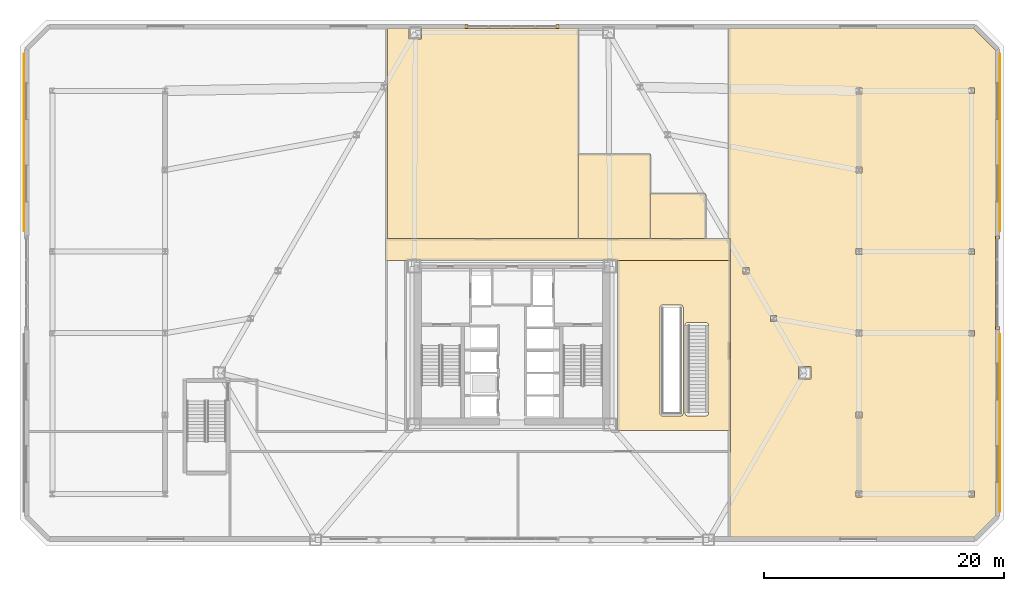
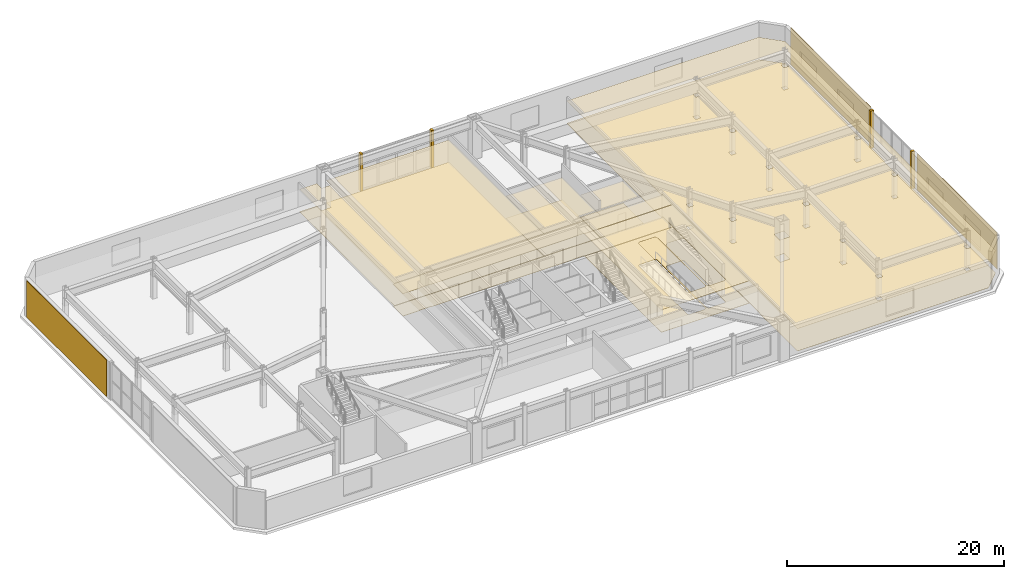
# One storey, part 20 of 21: 19 coverings.
"""IFC4 building model written with IfcOpenShell, lengths in metres."""

from ifc_helpers import new_model, si_unit, direction, frame, origin, origin_2d, place, context, subcontext, project, spatial, polyline, rectangle, outline, extrude, material, layer, layer_set, type_object, element, save


model = new_model("IFC4")

# Units and contexts
model_context = context("Model", 3, precision=1e-05, world=origin(), true_north=direction((0.0, 1.0)))
body_context = subcontext(model_context, "Body", "Model", "MODEL_VIEW")
ifc_project = project(units=[si_unit("LENGTHUNIT", "METRE"), si_unit("AREAUNIT", "SQUARE_METRE"), si_unit("VOLUMEUNIT", "CUBIC_METRE"), si_unit("PLANEANGLEUNIT", "RADIAN"), si_unit("MASSUNIT", "GRAM", prefix="KILO")], contexts=[model_context])

# Site, building, storey
site_placement = place(None, origin())
site = spatial("IfcSite", under=ifc_project, at=site_placement, CompositionType="ELEMENT")
building_placement = place(site_placement, origin())
building = spatial("IfcBuilding", under=site, at=building_placement, Name="Oramaril Tower", CompositionType="ELEMENT")
storey_placement = place(building_placement, frame((0.0, 0.0, 5.39990234375)))
storey = spatial("IfcBuildingStorey", under=building, at=storey_placement, Name="L01", CompositionType="ELEMENT", Elevation=5.39990234375)

# Coverings
ifc_material_1 = material(Name="Mineral Fibre Acoustic Ceiling")
ifc_layer_1 = layer(ifc_material_1, 0.02001953125)
ifc_layer_set_1 = layer_set([ifc_layer_1], Name="CVT-CEIL")
covering_type_1 = type_object("IfcCoveringType", Name="CVT-CEIL", PredefinedType="CEILING", material=ifc_layer_set_1)
covering_1_placement = place(storey_placement, frame((0.0, 0.0, 2.522216796875)))
element("IfcCovering", 1, at=covering_1_placement, inside=storey, type_object=covering_type_1, Name="L01 Acoustic Suspended Ceiling 2", PredefinedType="CEILING", context=body_context, shape_type="SweptSolid", body=[
    extrude(outline(polyline([(55.679931640625, 26.47998046875), (55.679931640625, 24.669921875), (46.219970703125, 24.669921875), (46.219970703125, 24.719970703125), (45.080078125, 24.719970703125), (45.080078125, 24.669921875), (29.919921875, 24.669921875), (29.919921875, 24.719970703125), (28.780029296875, 24.719970703125), (28.780029296875, 24.669921875), (26.969970703125, 24.669921875), (26.969970703125, 26.47998046875), (55.679931640625, 26.47998046875)])), origin(), (0.0, 0.0, 1.0), 0.019775390625),
])
covering_2_placement = place(storey_placement, frame((0.0, 0.0, 2.522216796875)))
element("IfcCovering", 2, at=covering_2_placement, inside=storey, type_object=covering_type_1, Name="L01 Acoustic Suspended Ceiling 4", PredefinedType="CEILING", context=body_context, shape_type="SweptSolid", body=[
    extrude(outline(polyline([(55.679931640625, 10.5), (46.300048828125, 10.5), (46.300048828125, 24.64990234375), (55.679931640625, 24.64990234375), (55.679931640625, 10.5)]), holes=[polyline([(49.835693359375, 20.772216796875), (49.829833984375, 20.748291015625), (49.826171875, 20.72412109375), (49.824951171875, 20.699462890625), (49.824951171875, 11.949951171875), (49.826171875, 11.925537109375), (49.829833984375, 11.901123046875), (49.835693359375, 11.87744140625), (49.843994140625, 11.854248046875), (49.8544921875, 11.832275390625), (49.8671875, 11.81103515625), (49.881591796875, 11.79150390625), (49.898193359375, 11.773193359375), (49.91650390625, 11.756591796875), (49.93603515625, 11.7421875), (49.957275390625, 11.7294921875), (49.979248046875, 11.718994140625), (50.00244140625, 11.710693359375), (50.026123046875, 11.704833984375), (50.050537109375, 11.701171875), (50.074951171875, 11.699951171875), (51.52490234375, 11.699951171875), (51.549560546875, 11.701171875), (51.57373046875, 11.704833984375), (51.59765625, 11.710693359375), (51.62060546875, 11.718994140625), (51.642822265625, 11.7294921875), (51.663818359375, 11.7421875), (51.68359375, 11.756591796875), (51.701904296875, 11.773193359375), (51.71826171875, 11.79150390625), (51.73291015625, 11.81103515625), (51.74560546875, 11.832275390625), (51.756103515625, 11.854248046875), (51.76416015625, 11.87744140625), (51.770263671875, 11.901123046875), (51.773681640625, 11.925537109375), (51.77490234375, 11.949951171875), (51.77490234375, 20.699462890625), (51.773681640625, 20.72412109375), (51.770263671875, 20.748291015625), (51.76416015625, 20.772216796875), (51.756103515625, 20.795166015625), (51.74560546875, 20.8173828125), (51.73291015625, 20.83837890625), (51.71826171875, 20.858154296875), (51.701904296875, 20.876220703125), (51.68359375, 20.892822265625), (51.663818359375, 20.907470703125), (51.642822265625, 20.919921875), (51.62060546875, 20.930419921875), (51.59765625, 20.938720703125), (51.57373046875, 20.944580078125), (51.549560546875, 20.9482421875), (51.52490234375, 20.949462890625), (50.074951171875, 20.949462890625), (50.050537109375, 20.9482421875), (50.026123046875, 20.944580078125), (50.00244140625, 20.938720703125), (49.979248046875, 20.930419921875), (49.957275390625, 20.919921875), (49.93603515625, 20.907470703125), (49.91650390625, 20.892822265625), (49.898193359375, 20.876220703125), (49.881591796875, 20.858154296875), (49.8671875, 20.83837890625), (49.8544921875, 20.8173828125), (49.843994140625, 20.795166015625), (49.835693359375, 20.772216796875)]), polyline([(51.9296875, 19.29833984375), (51.92626953125, 19.27392578125), (51.925048828125, 19.24951171875), (51.925048828125, 11.949951171875), (51.92626953125, 11.925537109375), (51.9296875, 11.901123046875), (51.935791015625, 11.87744140625), (51.944091796875, 11.854248046875), (51.95458984375, 11.832275390625), (51.967041015625, 11.81103515625), (51.981689453125, 11.79150390625), (51.998291015625, 11.773193359375), (52.016357421875, 11.756591796875), (52.0361328125, 11.7421875), (52.05712890625, 11.7294921875), (52.079345703125, 11.718994140625), (52.102294921875, 11.710693359375), (52.126220703125, 11.704833984375), (52.150390625, 11.701171875), (52.175048828125, 11.699951171875), (53.625, 11.699951171875), (53.6494140625, 11.701171875), (53.673828125, 11.704833984375), (53.697509765625, 11.710693359375), (53.720703125, 11.718994140625), (53.742919921875, 11.7294921875), (53.763916015625, 11.7421875), (53.78369140625, 11.756591796875), (53.8017578125, 11.773193359375), (53.818359375, 11.79150390625), (53.8330078125, 11.81103515625), (53.845458984375, 11.832275390625), (53.85595703125, 11.854248046875), (53.8642578125, 11.87744140625), (53.8701171875, 11.901123046875), (53.873779296875, 11.925537109375), (53.875, 11.949951171875), (53.875, 19.24951171875), (53.873779296875, 19.27392578125), (53.8701171875, 19.29833984375), (53.8642578125, 19.322021484375), (53.85595703125, 19.34521484375), (53.845458984375, 19.3671875), (53.8330078125, 19.388427734375), (53.818359375, 19.408203125), (53.8017578125, 19.42626953125), (53.78369140625, 19.44287109375), (53.763916015625, 19.45751953125), (53.742919921875, 19.469970703125), (53.720703125, 19.48046875), (53.697509765625, 19.48876953125), (53.673828125, 19.49462890625), (53.6494140625, 19.498291015625), (53.625, 19.49951171875), (52.175048828125, 19.49951171875), (52.150390625, 19.498291015625), (52.126220703125, 19.49462890625), (52.102294921875, 19.48876953125), (52.079345703125, 19.48046875), (52.05712890625, 19.469970703125), (52.0361328125, 19.45751953125), (52.016357421875, 19.44287109375), (51.998291015625, 19.42626953125), (51.981689453125, 19.408203125), (51.967041015625, 19.388427734375), (51.95458984375, 19.3671875), (51.944091796875, 19.34521484375), (51.935791015625, 19.322021484375), (51.9296875, 19.29833984375)])]), origin(), (0.0, 0.0, 1.0), 0.019775390625),
])
covering_3_placement = place(storey_placement, frame((0.0, 0.0, 2.522216796875)))
element("IfcCovering", 3, at=covering_3_placement, inside=storey, type_object=covering_type_1, Name="L01 Acoustic Suspended Ceiling 8", PredefinedType="CEILING", context=body_context, shape_type="SweptSolid", body=[
    extrude(outline(polyline([(28.931884765625, 43.98193359375), (28.931884765625, 43.1201171875), (29.9716796875, 43.1201171875), (29.9716796875, 43.98193359375), (43.0419921875, 43.98193359375), (43.0419921875, 26.5), (27.112060546875, 26.5), (27.112060546875, 43.98193359375), (28.931884765625, 43.98193359375)])), origin(), (0.0, 0.0, 1.0), 0.019775390625),
])
covering_4_placement = place(storey_placement, frame((0.0, 0.0, 2.522216796875)))
element("IfcCovering", 4, at=covering_4_placement, inside=storey, type_object=covering_type_1, Name="L01 Acoustic Suspended Ceiling 9", PredefinedType="CEILING", context=body_context, shape_type="SweptSolid", body=[
    extrude(outline(polyline([(77.781982421875, 42.20263671875), (77.781982421875, 3.3974609375), (76.002685546875, 1.617919921875), (55.662109375, 1.617919921875), (55.662109375, 8.64990234375), (55.679931640625, 8.64990234375), (55.681884765625, 8.650146484375), (55.683837890625, 8.650390625), (55.685791015625, 8.65087890625), (55.687744140625, 8.651611328125), (55.689453125, 8.65234375), (55.691162109375, 8.6533203125), (55.692626953125, 8.654541015625), (55.694091796875, 8.656005859375), (55.695556640625, 8.6572265625), (55.696533203125, 8.658935546875), (55.697509765625, 8.66064453125), (55.698486328125, 8.662353515625), (55.69921875, 8.664306640625), (55.69970703125, 8.666015625), (55.699951171875, 8.66796875), (55.699951171875, 8.669921875), (55.699951171875, 10.47998046875), (55.699951171875, 10.48193359375), (55.69970703125, 10.48388671875), (55.69921875, 10.48583984375), (55.698486328125, 10.48779296875), (55.697509765625, 10.489501953125), (55.697265625, 10.489990234375), (55.697509765625, 10.490478515625), (55.698486328125, 10.4921875), (55.69921875, 10.494140625), (55.69970703125, 10.49609375), (55.699951171875, 10.498046875), (55.699951171875, 10.5), (55.699951171875, 24.64990234375), (55.699951171875, 24.652099609375), (55.69970703125, 24.65380859375), (55.69921875, 24.65576171875), (55.698486328125, 24.65771484375), (55.697509765625, 24.659423828125), (55.697265625, 24.659912109375), (55.697509765625, 24.66064453125), (55.698486328125, 24.662353515625), (55.69921875, 24.664306640625), (55.69970703125, 24.666015625), (55.699951171875, 24.66796875), (55.699951171875, 24.669921875), (55.699951171875, 26.47998046875), (55.699951171875, 26.48193359375), (55.69970703125, 26.48388671875), (55.69921875, 26.48583984375), (55.698486328125, 26.48779296875), (55.697509765625, 26.489501953125), (55.696533203125, 26.4912109375), (55.695556640625, 26.49267578125), (55.694091796875, 26.494140625), (55.692626953125, 26.49560546875), (55.691162109375, 26.49658203125), (55.689453125, 26.49755859375), (55.687744140625, 26.49853515625), (55.685791015625, 26.4990234375), (55.683837890625, 26.49951171875), (55.681884765625, 26.5), (55.679931640625, 26.5), (55.55810546875, 26.5), (55.55810546875, 43.98193359375), (76.002685546875, 43.98193359375), (77.781982421875, 42.20263671875)]), holes=[polyline([(66.652587890625, 4.947509765625), (66.652587890625, 5.452392578125), (66.1474609375, 5.452392578125), (66.1474609375, 4.947509765625), (66.652587890625, 4.947509765625)]), polyline([(76.037109375, 5.43701171875), (75.56298828125, 5.43701171875), (75.56298828125, 4.962890625), (76.037109375, 4.962890625), (76.037109375, 5.43701171875)]), polyline([(66.652587890625, 11.547607421875), (66.652587890625, 12.052490234375), (66.1474609375, 12.052490234375), (66.1474609375, 11.547607421875), (66.652587890625, 11.547607421875)]), polyline([(62.430419921875, 14.780029296875), (62.430419921875, 15.820068359375), (61.390380859375, 15.820068359375), (61.390380859375, 14.780029296875), (62.430419921875, 14.780029296875)]), polyline([(66.652587890625, 18.347412109375), (66.652587890625, 18.8525390625), (66.1474609375, 18.8525390625), (66.1474609375, 18.347412109375), (66.652587890625, 18.347412109375)]), polyline([(76.037109375, 18.363037109375), (76.037109375, 18.8369140625), (75.56298828125, 18.8369140625), (75.56298828125, 18.363037109375), (76.037109375, 18.363037109375)]), polyline([(59.544921875, 20.0869140625), (59.039794921875, 20.0869140625), (59.039794921875, 19.581787109375), (59.544921875, 19.581787109375), (59.544921875, 20.0869140625)]), polyline([(57.254150390625, 23.549560546875), (57.254150390625, 24.054443359375), (56.749267578125, 24.054443359375), (56.749267578125, 23.549560546875), (57.254150390625, 23.549560546875)]), polyline([(66.652587890625, 25.1474609375), (66.652587890625, 25.652587890625), (66.1474609375, 25.652587890625), (66.1474609375, 25.1474609375), (66.652587890625, 25.1474609375)]), polyline([(76.037109375, 25.1630859375), (76.037109375, 25.636962890625), (75.56298828125, 25.636962890625), (75.56298828125, 25.1630859375), (76.037109375, 25.1630859375)]), polyline([(66.652587890625, 31.947509765625), (66.652587890625, 32.452392578125), (66.1474609375, 32.452392578125), (66.1474609375, 31.947509765625), (66.652587890625, 31.947509765625)]), polyline([(66.652587890625, 38.547607421875), (66.652587890625, 39.052490234375), (66.1474609375, 39.052490234375), (66.1474609375, 38.547607421875), (66.652587890625, 38.547607421875)]), polyline([(76.037109375, 38.56298828125), (76.037109375, 39.037109375), (75.56298828125, 39.037109375), (75.56298828125, 38.56298828125), (76.037109375, 38.56298828125)])]), origin(), (0.0, 0.0, 1.0), 0.019775390625),
])
covering_5_placement = place(storey_placement, frame((0.0, 0.0, 2.522216796875)))
element("IfcCovering", 5, at=covering_5_placement, inside=storey, type_object=covering_type_1, Name="L01 Acoustic Suspended Ceiling 10", PredefinedType="CEILING", context=body_context, shape_type="SweptSolid", body=[
    extrude(outline(polyline([(49.0419921875, 26.5), (43.06201171875, 26.5), (43.06201171875, 33.5419921875), (49.0419921875, 33.5419921875), (49.0419921875, 26.5)])), origin(), (0.0, 0.0, 1.0), 0.019775390625),
])
covering_6_placement = place(storey_placement, frame((0.0, 0.0, 2.522216796875)))
element("IfcCovering", 6, at=covering_6_placement, inside=storey, type_object=covering_type_1, Name="L01 Acoustic Suspended Ceiling 11", PredefinedType="CEILING", context=body_context, shape_type="SweptSolid", body=[
    extrude(outline(polyline([(53.64208984375, 30.241943359375), (53.64208984375, 26.5), (49.06201171875, 26.5), (49.06201171875, 30.241943359375), (53.64208984375, 30.241943359375)])), origin(), (0.0, 0.0, 1.0), 0.019775390625),
])
ifc_material_2 = material(Name="Warm Cream Limestone", Category="masonry")
ifc_layer_2 = layer(ifc_material_2, 0.050048828125)
ifc_layer_set_2 = layer_set([ifc_layer_2], Name="CVT-CLD")
covering_type_2 = type_object("IfcCoveringType", Name="CVT-CLD", PredefinedType="CLADDING", material=ifc_layer_set_2)
for number, where, z_axis, x_axis, name in (
    (7, (77.949951171875, 19.02001953125, 0.0), (0.0, 0.0, 1.0), (0.0, 1.0, 0.0), "L01 Curtain Wall Limestone Jamb Closure"),
    (8, (77.949951171875, 26.580078125, 0.0), (0.0, 0.0, 1.0), (0.0, 1.0, 0.0), "L01 Curtain Wall Limestone Jamb Closure"),
):
    element("IfcCovering", number, at=place(storey_placement, frame(where, z_axis=z_axis, x_axis=x_axis)), inside=storey, type_object=covering_type_2, Name=name, PredefinedType="CLADDING", context=body_context, shape_type="SweptSolid", body=[
        extrude(rectangle(XDim=0.260009765625, YDim=0.340087890625, at=origin_2d()), origin(), (0.0, 0.0, 1.0), 4.219970703125),
    ])
for number, where, z_axis, x_axis, name in (
    (9, (78.1630859375, 11.114013671875, 0.050048828125), (0.0, 0.0, 1.0), (0.0, 1.0, 0.0), "L01 Warm Cream Limestone Cladding"),
    (10, (78.1630859375, 34.486083984375, 0.050048828125), (0.0, 0.0, 1.0), (0.0, 1.0, 0.0), "L01 Warm Cream Limestone Cladding"),
):
    element("IfcCovering", number, at=place(storey_placement, frame(where, z_axis=z_axis, x_axis=x_axis)), inside=storey, type_object=covering_type_2, Name=name, PredefinedType="CLADDING", context=body_context, shape_type="SweptSolid", body=[
        extrude(rectangle(XDim=14.772216796875, YDim=0.050048828125, at=origin_2d()), origin(), (0.0, 0.0, 1.0), 4.1201171875),
    ])
for number, where, z_axis, x_axis, name in (
    (11, (41.280029296875, 44.14990234375, 0.0), (0.0, 0.0, 1.0), (-1.0, 0.0, 0.0), "L01 Curtain Wall Limestone Jamb Closure"),
    (12, (33.719970703125, 44.14990234375, 0.0), (0.0, 0.0, 1.0), (-1.0, 0.0, 0.0), "L01 Curtain Wall Limestone Jamb Closure"),
):
    element("IfcCovering", number, at=place(storey_placement, frame(where, z_axis=z_axis, x_axis=x_axis)), inside=storey, type_object=covering_type_2, Name=name, PredefinedType="CLADDING", context=body_context, shape_type="SweptSolid", body=[
        extrude(rectangle(XDim=0.260009765625, YDim=0.340087890625, at=origin_2d()), origin(), (0.0, 0.0, 1.0), 4.219970703125),
    ])
covering_7_placement = place(storey_placement, frame((-3.1630859375, 34.486083984375, 0.050048828125), z_axis=(0.0, 0.0, 1.0), x_axis=(0.0, -1.0, 0.0)))
element("IfcCovering", 13, at=covering_7_placement, inside=storey, type_object=covering_type_2, Name="L01 Warm Cream Limestone Cladding", PredefinedType="CLADDING", context=body_context, shape_type="SweptSolid", body=[
    extrude(rectangle(XDim=14.772216796875, YDim=0.050048828125, at=origin_2d()), origin(), (0.0, 0.0, 1.0), 4.1201171875),
])
ifc_material_3 = material(Name="Honed Quartzite Stone Flooring", Category="masonry")
ifc_layer_3 = layer(ifc_material_3, 0.02490234375)
ifc_layer_set_3 = layer_set([ifc_layer_3], Name="CVT-FLR")
covering_type_3 = type_object("IfcCoveringType", Name="CVT-FLR", PredefinedType="FLOORING", material=ifc_layer_set_3)
covering_8_placement = place(storey_placement, origin())
element("IfcCovering", 14, at=covering_8_placement, inside=storey, type_object=covering_type_3, Name="L01 Honed Stone Floor Finish 2", PredefinedType="FLOORING", context=body_context, shape_type="SweptSolid", body=[
    extrude(outline(polyline([(55.679931640625, 26.47998046875), (55.679931640625, 24.669921875), (46.219970703125, 24.669921875), (46.219970703125, 24.719970703125), (45.080078125, 24.719970703125), (45.080078125, 24.669921875), (29.919921875, 24.669921875), (29.919921875, 24.719970703125), (28.780029296875, 24.719970703125), (28.780029296875, 24.669921875), (26.969970703125, 24.669921875), (26.969970703125, 26.47998046875), (55.679931640625, 26.47998046875)])), origin(), (0.0, 0.0, 1.0), 0.025146484375),
])
covering_9_placement = place(storey_placement, origin())
element("IfcCovering", 15, at=covering_9_placement, inside=storey, type_object=covering_type_3, Name="L01 Honed Stone Floor Finish 4", PredefinedType="FLOORING", context=body_context, shape_type="SweptSolid", body=[
    extrude(outline(polyline([(55.679931640625, 10.5), (46.300048828125, 10.5), (46.300048828125, 24.64990234375), (55.679931640625, 24.64990234375), (55.679931640625, 10.5)]), holes=[polyline([(49.835693359375, 20.772216796875), (49.829833984375, 20.748291015625), (49.826171875, 20.72412109375), (49.824951171875, 20.699462890625), (49.824951171875, 11.949951171875), (49.826171875, 11.925537109375), (49.829833984375, 11.901123046875), (49.835693359375, 11.87744140625), (49.843994140625, 11.854248046875), (49.8544921875, 11.832275390625), (49.8671875, 11.81103515625), (49.881591796875, 11.79150390625), (49.898193359375, 11.773193359375), (49.91650390625, 11.756591796875), (49.93603515625, 11.7421875), (49.957275390625, 11.7294921875), (49.979248046875, 11.718994140625), (50.00244140625, 11.710693359375), (50.026123046875, 11.704833984375), (50.050537109375, 11.701171875), (50.074951171875, 11.699951171875), (51.52490234375, 11.699951171875), (51.549560546875, 11.701171875), (51.57373046875, 11.704833984375), (51.59765625, 11.710693359375), (51.62060546875, 11.718994140625), (51.642822265625, 11.7294921875), (51.663818359375, 11.7421875), (51.68359375, 11.756591796875), (51.701904296875, 11.773193359375), (51.71826171875, 11.79150390625), (51.73291015625, 11.81103515625), (51.74560546875, 11.832275390625), (51.756103515625, 11.854248046875), (51.76416015625, 11.87744140625), (51.770263671875, 11.901123046875), (51.773681640625, 11.925537109375), (51.77490234375, 11.949951171875), (51.77490234375, 20.699462890625), (51.773681640625, 20.72412109375), (51.770263671875, 20.748291015625), (51.76416015625, 20.772216796875), (51.756103515625, 20.795166015625), (51.74560546875, 20.8173828125), (51.73291015625, 20.83837890625), (51.71826171875, 20.858154296875), (51.701904296875, 20.876220703125), (51.68359375, 20.892822265625), (51.663818359375, 20.907470703125), (51.642822265625, 20.919921875), (51.62060546875, 20.930419921875), (51.59765625, 20.938720703125), (51.57373046875, 20.944580078125), (51.549560546875, 20.9482421875), (51.52490234375, 20.949462890625), (50.074951171875, 20.949462890625), (50.050537109375, 20.9482421875), (50.026123046875, 20.944580078125), (50.00244140625, 20.938720703125), (49.979248046875, 20.930419921875), (49.957275390625, 20.919921875), (49.93603515625, 20.907470703125), (49.91650390625, 20.892822265625), (49.898193359375, 20.876220703125), (49.881591796875, 20.858154296875), (49.8671875, 20.83837890625), (49.8544921875, 20.8173828125), (49.843994140625, 20.795166015625), (49.835693359375, 20.772216796875)]), polyline([(51.9296875, 19.29833984375), (51.92626953125, 19.27392578125), (51.925048828125, 19.24951171875), (51.925048828125, 11.949951171875), (51.92626953125, 11.925537109375), (51.9296875, 11.901123046875), (51.935791015625, 11.87744140625), (51.944091796875, 11.854248046875), (51.95458984375, 11.832275390625), (51.967041015625, 11.81103515625), (51.981689453125, 11.79150390625), (51.998291015625, 11.773193359375), (52.016357421875, 11.756591796875), (52.0361328125, 11.7421875), (52.05712890625, 11.7294921875), (52.079345703125, 11.718994140625), (52.102294921875, 11.710693359375), (52.126220703125, 11.704833984375), (52.150390625, 11.701171875), (52.175048828125, 11.699951171875), (53.625, 11.699951171875), (53.6494140625, 11.701171875), (53.673828125, 11.704833984375), (53.697509765625, 11.710693359375), (53.720703125, 11.718994140625), (53.742919921875, 11.7294921875), (53.763916015625, 11.7421875), (53.78369140625, 11.756591796875), (53.8017578125, 11.773193359375), (53.818359375, 11.79150390625), (53.8330078125, 11.81103515625), (53.845458984375, 11.832275390625), (53.85595703125, 11.854248046875), (53.8642578125, 11.87744140625), (53.8701171875, 11.901123046875), (53.873779296875, 11.925537109375), (53.875, 11.949951171875), (53.875, 19.24951171875), (53.873779296875, 19.27392578125), (53.8701171875, 19.29833984375), (53.8642578125, 19.322021484375), (53.85595703125, 19.34521484375), (53.845458984375, 19.3671875), (53.8330078125, 19.388427734375), (53.818359375, 19.408203125), (53.8017578125, 19.42626953125), (53.78369140625, 19.44287109375), (53.763916015625, 19.45751953125), (53.742919921875, 19.469970703125), (53.720703125, 19.48046875), (53.697509765625, 19.48876953125), (53.673828125, 19.49462890625), (53.6494140625, 19.498291015625), (53.625, 19.49951171875), (52.175048828125, 19.49951171875), (52.150390625, 19.498291015625), (52.126220703125, 19.49462890625), (52.102294921875, 19.48876953125), (52.079345703125, 19.48046875), (52.05712890625, 19.469970703125), (52.0361328125, 19.45751953125), (52.016357421875, 19.44287109375), (51.998291015625, 19.42626953125), (51.981689453125, 19.408203125), (51.967041015625, 19.388427734375), (51.95458984375, 19.3671875), (51.944091796875, 19.34521484375), (51.935791015625, 19.322021484375), (51.9296875, 19.29833984375)])]), origin(), (0.0, 0.0, 1.0), 0.025146484375),
])
covering_10_placement = place(storey_placement, origin())
element("IfcCovering", 16, at=covering_10_placement, inside=storey, type_object=covering_type_3, Name="L01 Honed Stone Floor Finish 8", PredefinedType="FLOORING", context=body_context, shape_type="SweptSolid", body=[
    extrude(outline(polyline([(28.931884765625, 43.98193359375), (28.931884765625, 43.1201171875), (29.9716796875, 43.1201171875), (29.9716796875, 43.98193359375), (43.0419921875, 43.98193359375), (43.0419921875, 26.5), (27.112060546875, 26.5), (27.112060546875, 43.98193359375), (28.931884765625, 43.98193359375)])), origin(), (0.0, 0.0, 1.0), 0.025146484375),
])
covering_11_placement = place(storey_placement, origin())
element("IfcCovering", 17, at=covering_11_placement, inside=storey, type_object=covering_type_3, Name="L01 Honed Stone Floor Finish 9", PredefinedType="FLOORING", context=body_context, shape_type="SweptSolid", body=[
    extrude(outline(polyline([(77.781982421875, 42.20263671875), (77.781982421875, 3.3974609375), (76.002685546875, 1.617919921875), (55.662109375, 1.617919921875), (55.662109375, 8.64990234375), (55.679931640625, 8.64990234375), (55.681884765625, 8.650146484375), (55.683837890625, 8.650390625), (55.685791015625, 8.65087890625), (55.687744140625, 8.651611328125), (55.689453125, 8.65234375), (55.691162109375, 8.6533203125), (55.692626953125, 8.654541015625), (55.694091796875, 8.656005859375), (55.695556640625, 8.6572265625), (55.696533203125, 8.658935546875), (55.697509765625, 8.66064453125), (55.698486328125, 8.662353515625), (55.69921875, 8.664306640625), (55.69970703125, 8.666015625), (55.699951171875, 8.66796875), (55.699951171875, 8.669921875), (55.699951171875, 10.47998046875), (55.699951171875, 10.48193359375), (55.69970703125, 10.48388671875), (55.69921875, 10.48583984375), (55.698486328125, 10.48779296875), (55.697509765625, 10.489501953125), (55.697265625, 10.489990234375), (55.697509765625, 10.490478515625), (55.698486328125, 10.4921875), (55.69921875, 10.494140625), (55.69970703125, 10.49609375), (55.699951171875, 10.498046875), (55.699951171875, 10.5), (55.699951171875, 24.64990234375), (55.699951171875, 24.652099609375), (55.69970703125, 24.65380859375), (55.69921875, 24.65576171875), (55.698486328125, 24.65771484375), (55.697509765625, 24.659423828125), (55.697265625, 24.659912109375), (55.697509765625, 24.66064453125), (55.698486328125, 24.662353515625), (55.69921875, 24.664306640625), (55.69970703125, 24.666015625), (55.699951171875, 24.66796875), (55.699951171875, 24.669921875), (55.699951171875, 26.47998046875), (55.699951171875, 26.48193359375), (55.69970703125, 26.48388671875), (55.69921875, 26.48583984375), (55.698486328125, 26.48779296875), (55.697509765625, 26.489501953125), (55.696533203125, 26.4912109375), (55.695556640625, 26.49267578125), (55.694091796875, 26.494140625), (55.692626953125, 26.49560546875), (55.691162109375, 26.49658203125), (55.689453125, 26.49755859375), (55.687744140625, 26.49853515625), (55.685791015625, 26.4990234375), (55.683837890625, 26.49951171875), (55.681884765625, 26.5), (55.679931640625, 26.5), (55.55810546875, 26.5), (55.55810546875, 43.98193359375), (76.002685546875, 43.98193359375), (77.781982421875, 42.20263671875)]), holes=[polyline([(66.652587890625, 4.947509765625), (66.652587890625, 5.452392578125), (66.1474609375, 5.452392578125), (66.1474609375, 4.947509765625), (66.652587890625, 4.947509765625)]), polyline([(76.037109375, 5.43701171875), (75.56298828125, 5.43701171875), (75.56298828125, 4.962890625), (76.037109375, 4.962890625), (76.037109375, 5.43701171875)]), polyline([(66.652587890625, 11.547607421875), (66.652587890625, 12.052490234375), (66.1474609375, 12.052490234375), (66.1474609375, 11.547607421875), (66.652587890625, 11.547607421875)]), polyline([(62.430419921875, 14.780029296875), (62.430419921875, 15.820068359375), (61.390380859375, 15.820068359375), (61.390380859375, 14.780029296875), (62.430419921875, 14.780029296875)]), polyline([(66.652587890625, 18.347412109375), (66.652587890625, 18.8525390625), (66.1474609375, 18.8525390625), (66.1474609375, 18.347412109375), (66.652587890625, 18.347412109375)]), polyline([(76.037109375, 18.363037109375), (76.037109375, 18.8369140625), (75.56298828125, 18.8369140625), (75.56298828125, 18.363037109375), (76.037109375, 18.363037109375)]), polyline([(59.544921875, 20.0869140625), (59.039794921875, 20.0869140625), (59.039794921875, 19.581787109375), (59.544921875, 19.581787109375), (59.544921875, 20.0869140625)]), polyline([(57.254150390625, 23.549560546875), (57.254150390625, 24.054443359375), (56.749267578125, 24.054443359375), (56.749267578125, 23.549560546875), (57.254150390625, 23.549560546875)]), polyline([(66.652587890625, 25.1474609375), (66.652587890625, 25.652587890625), (66.1474609375, 25.652587890625), (66.1474609375, 25.1474609375), (66.652587890625, 25.1474609375)]), polyline([(76.037109375, 25.1630859375), (76.037109375, 25.636962890625), (75.56298828125, 25.636962890625), (75.56298828125, 25.1630859375), (76.037109375, 25.1630859375)]), polyline([(66.652587890625, 31.947509765625), (66.652587890625, 32.452392578125), (66.1474609375, 32.452392578125), (66.1474609375, 31.947509765625), (66.652587890625, 31.947509765625)]), polyline([(66.652587890625, 38.547607421875), (66.652587890625, 39.052490234375), (66.1474609375, 39.052490234375), (66.1474609375, 38.547607421875), (66.652587890625, 38.547607421875)]), polyline([(76.037109375, 38.56298828125), (76.037109375, 39.037109375), (75.56298828125, 39.037109375), (75.56298828125, 38.56298828125), (76.037109375, 38.56298828125)])]), origin(), (0.0, 0.0, 1.0), 0.025146484375),
])
covering_12_placement = place(storey_placement, origin())
element("IfcCovering", 18, at=covering_12_placement, inside=storey, type_object=covering_type_3, Name="L01 Honed Stone Floor Finish 10", PredefinedType="FLOORING", context=body_context, shape_type="SweptSolid", body=[
    extrude(outline(polyline([(49.0419921875, 26.5), (43.06201171875, 26.5), (43.06201171875, 33.5419921875), (49.0419921875, 33.5419921875), (49.0419921875, 26.5)])), origin(), (0.0, 0.0, 1.0), 0.025146484375),
])
covering_13_placement = place(storey_placement, origin())
element("IfcCovering", 19, at=covering_13_placement, inside=storey, type_object=covering_type_3, Name="L01 Honed Stone Floor Finish 11", PredefinedType="FLOORING", context=body_context, shape_type="SweptSolid", body=[
    extrude(outline(polyline([(53.64208984375, 30.241943359375), (53.64208984375, 26.5), (49.06201171875, 26.5), (49.06201171875, 30.241943359375), (53.64208984375, 30.241943359375)])), origin(), (0.0, 0.0, 1.0), 0.025146484375),
])

save(model, "model.ifc")
